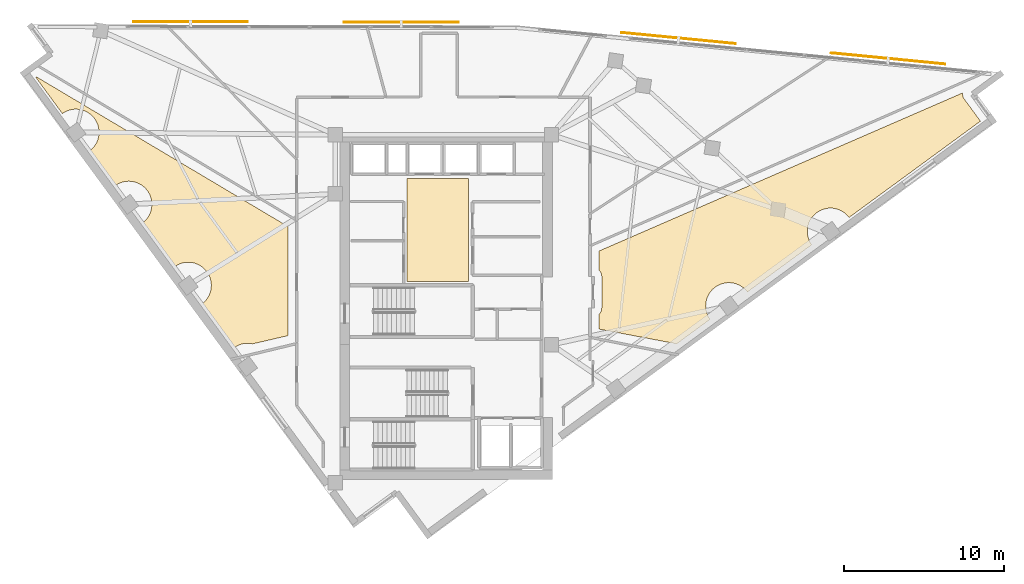
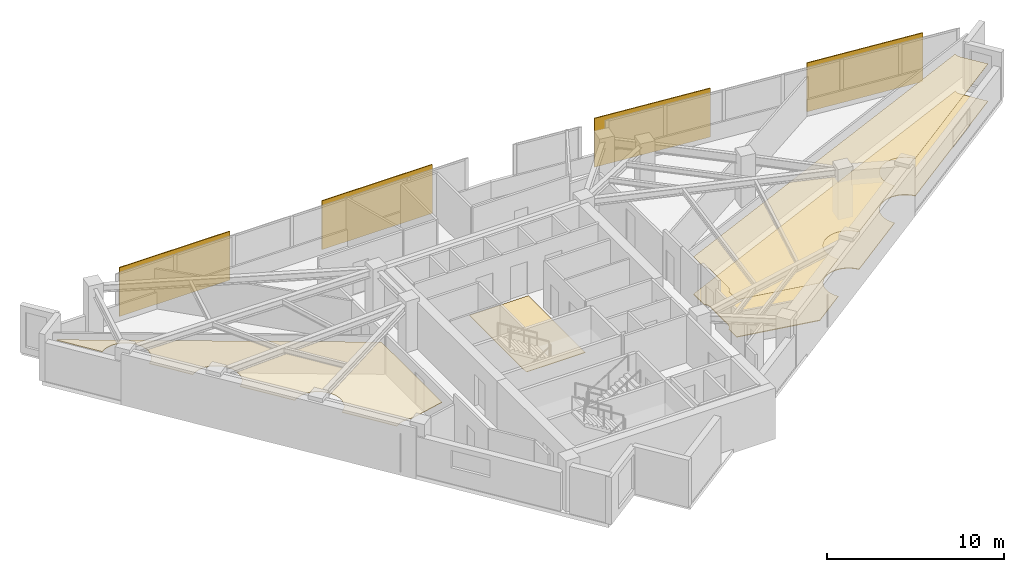
# One storey, part 14 of 14: 4 coverings, 4 shading devices.
"""IFC4 building model written with IfcOpenShell, lengths in metres."""

from ifc_helpers import new_model, si_unit, direction, frame, origin, origin_2d, place, context, subcontext, project, spatial, polyline, rectangle, outline, extrude, material, layer, layer_set, type_object, element, save


model = new_model("IFC4")

# Units and contexts
model_context = context("Model", 3, precision=1e-05, world=origin(), true_north=direction((0.0, 1.0)))
body_context = subcontext(model_context, "Body", "Model", "MODEL_VIEW")
ifc_project = project(units=[si_unit("LENGTHUNIT", "METRE"), si_unit("AREAUNIT", "SQUARE_METRE"), si_unit("VOLUMEUNIT", "CUBIC_METRE"), si_unit("PLANEANGLEUNIT", "RADIAN"), si_unit("MASSUNIT", "GRAM", prefix="KILO")], contexts=[model_context])

# Site, building, storey
site_placement = place(None, origin())
site = spatial("IfcSite", under=ifc_project, at=site_placement, CompositionType="ELEMENT")
building_placement = place(site_placement, origin())
building = spatial("IfcBuilding", under=site, at=building_placement, Name="Narakoshi Arena Tower", CompositionType="ELEMENT")
storey_placement = place(building_placement, frame((0.0, 0.0, 236.10009765625)))
storey = spatial("IfcBuildingStorey", under=building, at=storey_placement, Name="L64", CompositionType="ELEMENT", Elevation=236.10009765625)

# Coverings
ifc_material_1 = material(Name="Acoustic mineral-fibre ceiling tile")
ifc_layer_1 = layer(ifc_material_1, 0.02001953125)
ifc_layer_set_1 = layer_set([ifc_layer_1], Name="Acoustic mineral-fibre ceiling tile")
covering_type_1 = type_object("IfcCoveringType", Name="COV-CLG-AC20", PredefinedType="CEILING", material=ifc_layer_set_1)
covering_1_placement = place(storey_placement, frame((0.0, 0.0, 2.58984375)))
element("IfcCovering", 1, at=covering_1_placement, inside=storey, type_object=covering_type_1, Name="L64 Suspended Acoustic Ceiling 1", PredefinedType="CEILING", context=body_context, shape_type="SweptSolid", body=[
    extrude(outline(polyline([(88.538818359375, 45.260986328125), (88.5751953125, 45.301025390625), (88.607421875, 45.344482421875), (88.635009765625, 45.390625), (88.658203125, 45.439453125), (88.67626953125, 45.490234375), (88.689453125, 45.542724609375), (88.697509765625, 45.59619140625), (88.699951171875, 45.64990234375), (88.699951171875, 47.6201171875), (88.697509765625, 47.673828125), (88.689453125, 47.727294921875), (88.67626953125, 47.77978515625), (88.658203125, 47.83056640625), (88.635009765625, 47.87939453125), (88.607421875, 47.925537109375), (88.5751953125, 47.968994140625), (88.538818359375, 48.0087890625), (88.511474609375, 48.03369140625), (88.511474609375, 49.209716796875), (111.306884765625, 59.120849609375), (111.30419921875, 59.0947265625), (111.303955078125, 59.040771484375), (111.30908203125, 58.987060546875), (111.3193359375, 58.93408203125), (111.334716796875, 58.88232421875), (111.35498046875, 58.83251953125), (111.380126953125, 58.78466796875), (111.409912109375, 58.739501953125), (112.426025390625, 57.353515625), (104.194580078125, 51.318115234375), (104.1533203125, 51.37353515625), (104.057861328125, 51.47900390625), (103.952392578125, 51.574462890625), (103.838134765625, 51.6591796875), (103.716064453125, 51.732421875), (103.58740234375, 51.793212890625), (103.453369140625, 51.84130859375), (103.3154296875, 51.875732421875), (103.174560546875, 51.896484375), (103.032470703125, 51.903564453125), (102.890380859375, 51.896484375), (102.74951171875, 51.875732421875), (102.611572265625, 51.84130859375), (102.4775390625, 51.793212890625), (102.34912109375, 51.732421875), (102.226806640625, 51.6591796875), (102.112548828125, 51.574462890625), (102.007080078125, 51.47900390625), (101.91162109375, 51.37353515625), (101.826904296875, 51.25927734375), (101.753662109375, 51.13720703125), (101.69287109375, 51.008544921875), (101.64501953125, 50.87451171875), (101.6103515625, 50.736572265625), (101.589599609375, 50.595703125), (101.58251953125, 50.45361328125), (101.589599609375, 50.3115234375), (101.6103515625, 50.170654296875), (101.64501953125, 50.03271484375), (101.69287109375, 49.898681640625), (101.753662109375, 49.77001953125), (101.826904296875, 49.64794921875), (101.858642578125, 49.605224609375), (97.825439453125, 46.64794921875), (97.7841796875, 46.703369140625), (97.688720703125, 46.808837890625), (97.583251953125, 46.904296875), (97.468994140625, 46.989013671875), (97.346923828125, 47.062255859375), (97.21826171875, 47.123046875), (97.084228515625, 47.171142578125), (96.9462890625, 47.20556640625), (96.805419921875, 47.2265625), (96.663330078125, 47.2333984375), (96.521240234375, 47.2265625), (96.380615234375, 47.20556640625), (96.242431640625, 47.171142578125), (96.1083984375, 47.123046875), (95.97998046875, 47.062255859375), (95.85791015625, 46.989013671875), (95.743408203125, 46.904296875), (95.63818359375, 46.808837890625), (95.54248046875, 46.703369140625), (95.457763671875, 46.589111328125), (95.384521484375, 46.467041015625), (95.32373046875, 46.33837890625), (95.27587890625, 46.204345703125), (95.2412109375, 46.06640625), (95.220458984375, 45.925537109375), (95.21337890625, 45.783447265625), (95.220458984375, 45.641357421875), (95.2412109375, 45.50048828125), (95.27587890625, 45.362548828125), (95.32373046875, 45.228515625), (95.384521484375, 45.10009765625), (95.457763671875, 44.977783203125), (95.489501953125, 44.935302734375), (93.396728515625, 43.40087890625), (88.511474609375, 44.328369140625), (88.511474609375, 45.236083984375), (88.538818359375, 45.260986328125)])), origin(), (0.0, 0.0, 1.0), 0.02001953125),
])
ifc_material_2 = material(Name="Slatted oak acoustic timber baffle", Category="wood")
ifc_layer_2 = layer(ifc_material_2, 0.034912109375)
ifc_layer_set_2 = layer_set([ifc_layer_2], Name="Slatted oak acoustic timber baffle")
covering_type_2 = type_object("IfcCoveringType", Name="COV-CLG-WD35", PredefinedType="CEILING", material=ifc_layer_set_2)
covering_2_placement = place(storey_placement, frame((0.0, 0.0, 2.574951171875)))
element("IfcCovering", 2, at=covering_2_placement, inside=storey, type_object=covering_type_2, Name="L64 Suspended Acoustic Ceiling 2", PredefinedType="CEILING", context=body_context, shape_type="SweptSolid", body=[
    extrude(outline(polyline([(66.817626953125, 43.3994140625), (66.79345703125, 43.405517578125), (66.652587890625, 43.426513671875), (66.510498046875, 43.433349609375), (66.368408203125, 43.426513671875), (66.2275390625, 43.405517578125), (66.089599609375, 43.37109375), (65.95556640625, 43.322998046875), (65.826904296875, 43.26220703125), (65.704833984375, 43.18896484375), (65.662109375, 43.1572265625), (63.6513671875, 45.89990234375), (63.706787109375, 45.94091796875), (63.812255859375, 46.03662109375), (63.90771484375, 46.141845703125), (63.992431640625, 46.256103515625), (64.065673828125, 46.37841796875), (64.12646484375, 46.5068359375), (64.174560546875, 46.640869140625), (64.208984375, 46.77880859375), (64.22998046875, 46.919677734375), (64.23681640625, 47.061767578125), (64.22998046875, 47.203857421875), (64.208984375, 47.3447265625), (64.174560546875, 47.482666015625), (64.12646484375, 47.61669921875), (64.065673828125, 47.745361328125), (63.992431640625, 47.867431640625), (63.90771484375, 47.981689453125), (63.812255859375, 48.087158203125), (63.706787109375, 48.1826171875), (63.592529296875, 48.267333984375), (63.470458984375, 48.340576171875), (63.341796875, 48.4013671875), (63.207763671875, 48.449462890625), (63.06982421875, 48.48388671875), (62.928955078125, 48.5048828125), (62.786865234375, 48.51171875), (62.644775390625, 48.5048828125), (62.50390625, 48.48388671875), (62.365966796875, 48.449462890625), (62.23193359375, 48.4013671875), (62.103515625, 48.340576171875), (61.981201171875, 48.267333984375), (61.9384765625, 48.235595703125), (59.927490234375, 50.978271484375), (59.983154296875, 51.019287109375), (60.08837890625, 51.114990234375), (60.18408203125, 51.220458984375), (60.268798828125, 51.334716796875), (60.342041015625, 51.456787109375), (60.40283203125, 51.58544921875), (60.45068359375, 51.719482421875), (60.4853515625, 51.857421875), (60.506103515625, 51.998291015625), (60.51318359375, 52.140380859375), (60.506103515625, 52.282470703125), (60.4853515625, 52.423095703125), (60.45068359375, 52.561279296875), (60.40283203125, 52.6953125), (60.342041015625, 52.82373046875), (60.268798828125, 52.94580078125), (60.18408203125, 53.060302734375), (60.08837890625, 53.16552734375), (59.983154296875, 53.26123046875), (59.868896484375, 53.345947265625), (59.74658203125, 53.419189453125), (59.6181640625, 53.47998046875), (59.484130859375, 53.52783203125), (59.34619140625, 53.5625), (59.205322265625, 53.583251953125), (59.063232421875, 53.59033203125), (58.921142578125, 53.583251953125), (58.7802734375, 53.5625), (58.642333984375, 53.52783203125), (58.50830078125, 53.47998046875), (58.379638671875, 53.419189453125), (58.257568359375, 53.345947265625), (58.21484375, 53.314208984375), (56.61767578125, 55.492431640625), (56.673095703125, 55.533447265625), (56.778564453125, 55.629150390625), (56.874267578125, 55.734619140625), (56.958984375, 55.848876953125), (57.031982421875, 55.970947265625), (57.093017578125, 56.099609375), (57.140869140625, 56.2333984375), (57.17529296875, 56.37158203125), (57.1962890625, 56.51220703125), (57.203369140625, 56.654296875), (57.1962890625, 56.79638671875), (57.17529296875, 56.937255859375), (57.140869140625, 57.0751953125), (57.093017578125, 57.209228515625), (57.031982421875, 57.337890625), (56.958984375, 57.4599609375), (56.874267578125, 57.57421875), (56.778564453125, 57.6796875), (56.673095703125, 57.775390625), (56.558837890625, 57.860107421875), (56.436767578125, 57.93310546875), (56.30810546875, 57.993896484375), (56.17431640625, 58.0419921875), (56.0361328125, 58.076416015625), (55.8955078125, 58.097412109375), (55.75341796875, 58.1044921875), (55.611083984375, 58.097412109375), (55.470458984375, 58.076416015625), (55.33251953125, 58.0419921875), (55.198486328125, 57.993896484375), (55.06982421875, 57.93310546875), (54.94775390625, 57.860107421875), (54.90478515625, 57.828369140625), (53.23779296875, 60.102294921875), (53.276611328125, 60.130859375), (69.03857421875, 50.75341796875), (69.03857421875, 43.914306640625), (66.817626953125, 43.3994140625)])), origin(), (0.0, 0.0, 1.0), 0.034912109375),
])
ifc_material_3 = material(Name="Raised steel access floor panel", Category="steel")
ifc_layer_3 = layer(ifc_material_3, 0.044921875)
ifc_layer_set_3 = layer_set([ifc_layer_3], Name="Raised steel access floor panel")
covering_type_3 = type_object("IfcCoveringType", Name="COV-FLR-RF45", PredefinedType="FLOORING", material=ifc_layer_set_3)
covering_3_placement = place(storey_placement, origin())
element("IfcCovering", 3, at=covering_3_placement, inside=storey, type_object=covering_type_3, Name="L64 Raised Steel Access Floor", PredefinedType="FLOORING", context=body_context, shape_type="SweptSolid", body=[
    extrude(outline(polyline([(88.538818359375, 45.260986328125), (88.5751953125, 45.301025390625), (88.607421875, 45.344482421875), (88.635009765625, 45.390625), (88.658203125, 45.439453125), (88.67626953125, 45.490234375), (88.689453125, 45.542724609375), (88.697509765625, 45.59619140625), (88.699951171875, 45.64990234375), (88.699951171875, 47.6201171875), (88.697509765625, 47.673828125), (88.689453125, 47.727294921875), (88.67626953125, 47.77978515625), (88.658203125, 47.83056640625), (88.635009765625, 47.87939453125), (88.607421875, 47.925537109375), (88.5751953125, 47.968994140625), (88.538818359375, 48.0087890625), (88.511474609375, 48.03369140625), (88.511474609375, 49.209716796875), (111.306884765625, 59.120849609375), (111.30419921875, 59.0947265625), (111.303955078125, 59.040771484375), (111.30908203125, 58.987060546875), (111.3193359375, 58.93408203125), (111.334716796875, 58.88232421875), (111.35498046875, 58.83251953125), (111.380126953125, 58.78466796875), (111.409912109375, 58.739501953125), (112.426025390625, 57.353515625), (104.194580078125, 51.318115234375), (104.1533203125, 51.37353515625), (104.057861328125, 51.47900390625), (103.952392578125, 51.574462890625), (103.838134765625, 51.6591796875), (103.716064453125, 51.732421875), (103.58740234375, 51.793212890625), (103.453369140625, 51.84130859375), (103.3154296875, 51.875732421875), (103.174560546875, 51.896484375), (103.032470703125, 51.903564453125), (102.890380859375, 51.896484375), (102.74951171875, 51.875732421875), (102.611572265625, 51.84130859375), (102.4775390625, 51.793212890625), (102.34912109375, 51.732421875), (102.226806640625, 51.6591796875), (102.112548828125, 51.574462890625), (102.007080078125, 51.47900390625), (101.91162109375, 51.37353515625), (101.826904296875, 51.25927734375), (101.753662109375, 51.13720703125), (101.69287109375, 51.008544921875), (101.64501953125, 50.87451171875), (101.6103515625, 50.736572265625), (101.589599609375, 50.595703125), (101.58251953125, 50.45361328125), (101.589599609375, 50.3115234375), (101.6103515625, 50.170654296875), (101.64501953125, 50.03271484375), (101.69287109375, 49.898681640625), (101.753662109375, 49.77001953125), (101.826904296875, 49.64794921875), (101.858642578125, 49.605224609375), (97.825439453125, 46.64794921875), (97.7841796875, 46.703369140625), (97.688720703125, 46.808837890625), (97.583251953125, 46.904296875), (97.468994140625, 46.989013671875), (97.346923828125, 47.062255859375), (97.21826171875, 47.123046875), (97.084228515625, 47.171142578125), (96.9462890625, 47.20556640625), (96.805419921875, 47.2265625), (96.663330078125, 47.2333984375), (96.521240234375, 47.2265625), (96.380615234375, 47.20556640625), (96.242431640625, 47.171142578125), (96.1083984375, 47.123046875), (95.97998046875, 47.062255859375), (95.85791015625, 46.989013671875), (95.743408203125, 46.904296875), (95.63818359375, 46.808837890625), (95.54248046875, 46.703369140625), (95.457763671875, 46.589111328125), (95.384521484375, 46.467041015625), (95.32373046875, 46.33837890625), (95.27587890625, 46.204345703125), (95.2412109375, 46.06640625), (95.220458984375, 45.925537109375), (95.21337890625, 45.783447265625), (95.220458984375, 45.641357421875), (95.2412109375, 45.50048828125), (95.27587890625, 45.362548828125), (95.32373046875, 45.228515625), (95.384521484375, 45.10009765625), (95.457763671875, 44.977783203125), (95.489501953125, 44.935302734375), (93.396728515625, 43.40087890625), (88.511474609375, 44.328369140625), (88.511474609375, 45.236083984375), (88.538818359375, 45.260986328125)])), origin(), (0.0, 0.0, 1.0), 0.044921875),
])
ifc_material_4 = material(Name="Honed granite stone paving", Category="masonry")
ifc_layer_4 = layer(ifc_material_4, 0.030029296875)
ifc_layer_set_4 = layer_set([ifc_layer_4], Name="Honed granite stone paving")
covering_type_4 = type_object("IfcCoveringType", Name="COV-FLR-ST30", PredefinedType="FLOORING", material=ifc_layer_set_4)
covering_4_placement = place(storey_placement, origin())
element("IfcCovering", 4, at=covering_4_placement, inside=storey, type_object=covering_type_4, Name="L64 Lift Lobby Granite Flooring", PredefinedType="FLOORING", context=body_context, shape_type="SweptSolid", body=[
    extrude(outline(polyline([(76.5, 47.300048828125), (80.35009765625, 47.300048828125), (80.35009765625, 53.75), (76.5, 53.75), (76.5, 47.300048828125)])), origin(), (0.0, 0.0, 1.0), 0.02978515625),
])

# Shading devices
ifc_material_5 = material(Name="Perforated bronze ceramic-metal composite")
ifc_layer_5 = layer(ifc_material_5, 0.06005859375)
ifc_layer_set_5 = layer_set([ifc_layer_5], Name="Perforated bronze ceramic-metal composite")
shading_device_type = type_object("IfcShadingDeviceType", Name="SHD-SCR-BRZ2", PredefinedType="USERDEFINED", material=ifc_layer_set_5)
for number, where, z_axis, x_axis, name in (
    (5, (106.64697265625, 61.275390625, -0.000244140625), (0.0, 0.0, 1.0), (-0.995298664587, 0.096853333819, 0.0), "L64 Perforated Bronze Solar Screen 1-1"),
    (6, (93.509033203125, 62.553955078125, -0.000244140625), (0.0, 0.0, 1.0), (-0.995298664587, 0.096853333819, 0.0), "L64 Perforated Bronze Solar Screen 1-2"),
    (7, (76.1328125, 63.556396484375, -0.000244140625), (0.0, 0.0, 1.0), (-0.999998352629, 0.001815141425, 0.0), "L64 Perforated Bronze Solar Screen 2-1"),
    (8, (62.932861328125, 63.580322265625, -0.000244140625), (0.0, 0.0, 1.0), (-0.999998352629, 0.001815141425, 0.0), "L64 Perforated Bronze Solar Screen 2-2"),
):
    element("IfcShadingDevice", number, at=place(storey_placement, frame(where, z_axis=z_axis, x_axis=x_axis)), inside=storey, type_object=shading_device_type, Name=name, ObjectType="SOLAR SCREEN", PredefinedType="USERDEFINED", context=body_context, shape_type="SweptSolid", body=[
        extrude(rectangle(XDim=7.199951171875, YDim=0.06005859375, at=origin_2d()), origin(), (0.0, 0.0, 1.0), 3.3701171875),
    ])

save(model, "model.ifc")
